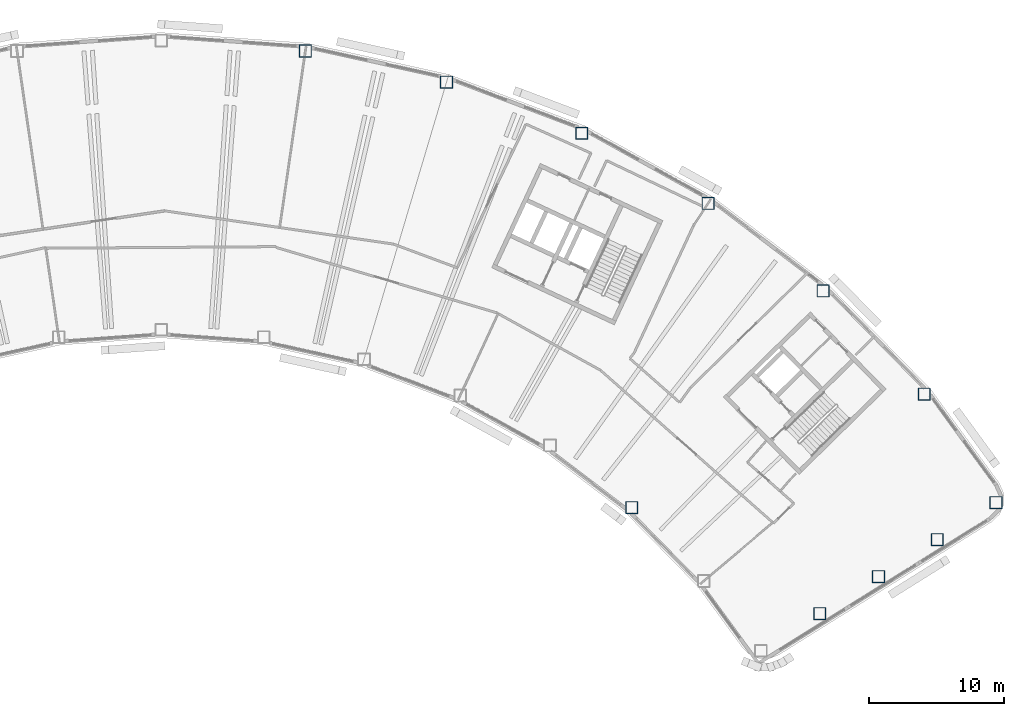
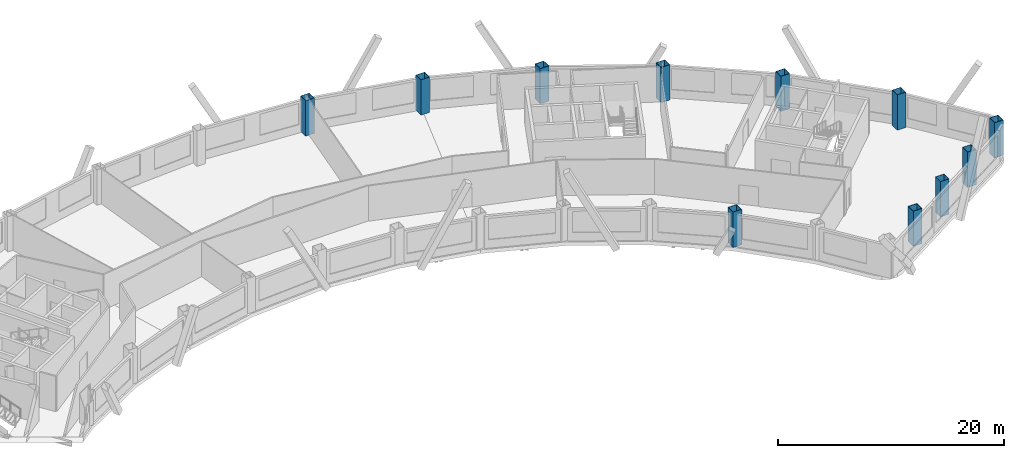
# One storey, part 2 of 12: 11 columns.
"""IFC4 building model written with IfcOpenShell, lengths in metres."""

from ifc_helpers import new_model, si_unit, direction, frame, origin, origin_2d, place, context, subcontext, project, spatial, hollow_rectangle, extrude, material, material_profile, profile_set, type_object, element, save


model = new_model("IFC4")

# Units and contexts
model_context = context("Model", 3, precision=1e-05, world=origin(), true_north=direction((0.0, 1.0)))
body_context = subcontext(model_context, "Body", "Model", "MODEL_VIEW")
ifc_project = project(units=[si_unit("LENGTHUNIT", "METRE"), si_unit("AREAUNIT", "SQUARE_METRE"), si_unit("VOLUMEUNIT", "CUBIC_METRE"), si_unit("PLANEANGLEUNIT", "RADIAN"), si_unit("MASSUNIT", "GRAM", prefix="KILO")], contexts=[model_context])

# Site, building, storey
site_placement = place(None, origin())
site = spatial("IfcSite", under=ifc_project, at=site_placement, CompositionType="ELEMENT")
building_placement = place(site_placement, origin())
building = spatial("IfcBuilding", under=site, at=building_placement, Name="Tuul Gate Civic Tower", CompositionType="ELEMENT")
storey_placement = place(building_placement, frame((0.0, 0.0, 172.10009765625)))
storey = spatial("IfcBuildingStorey", under=building, at=storey_placement, Name="Level 39", CompositionType="ELEMENT", Elevation=172.10009765625)

# Columns
ifc_material = material(Name="Steel S355", Category="steel")
ifc_material_profile = material_profile(ifc_material, hollow_rectangle(XDim=0.89990234375, YDim=0.89990234375, WallThickness=0.031982421875, at=origin_2d()), Name="BOX900x900x32")
ifc_profile_set = profile_set([ifc_material_profile], Name="Steel S355")
column_type = type_object("IfcColumnType", Name="STR-COLUMN-BOX900x900x32", PredefinedType="COLUMN", material=ifc_profile_set)
for number, where, z_axis, x_axis, name in (
    (1, (62.660888671875, -20.512939453125, 0.0), (0.0, 0.0, 1.0), (1.0, 0.0, 0.0), "Column"),
    (2, (57.362060546875, -12.5, 0.0), (0.0, 0.0, 1.0), (1.0, 0.0, 0.0), "Column"),
    (3, (49.886962890625, -4.875, 0.0), (0.0, 0.0, 1.0), (1.0, 0.0, 0.0), "Column"),
    (4, (41.39208984375, 1.593017578125, 0.0), (0.0, 0.0, 1.0), (1.0, 0.0, 0.0), "Column"),
    (5, (32.053955078125, 6.77001953125, 0.0), (0.0, 0.0, 1.0), (1.0, 0.0, 0.0), "Column"),
    (6, (22.06689453125, 10.5458984375, 0.0), (0.0, 0.0, 1.0), (1.0, 0.0, 0.0), "Column"),
    (7, (11.638916015625, 12.843994140625, 0.0), (0.0, 0.0, 1.0), (1.0, 0.0, 0.0), "Column"),
    (8, (35.757080078125, -20.886962890625, 0.0), (0.0, 0.0, 1.0), (1.0, 0.0, 0.0), "Column"),
    (9, (49.633056640625, -28.716064453125, 0.0), (0.0, 0.0, 1.0), (1.0, 0.0, 0.0), "Column"),
    (10, (53.97607421875, -25.98193359375, 0.0), (0.0, 0.0, 1.0), (1.0, 0.0, 0.0), "Column"),
    (11, (58.318115234375, -23.2470703125, 0.0), (0.0, 0.0, 1.0), (1.0, 0.0, 0.0), "Column"),
):
    element("IfcColumn", number, at=place(storey_placement, frame(where, z_axis=z_axis, x_axis=x_axis)), inside=storey, type_object=column_type, Name=name, PredefinedType="COLUMN", context=body_context, shape_type="SweptSolid", body=[
        extrude(hollow_rectangle(XDim=0.89990234375, YDim=0.89990234375, WallThickness=0.031982421875, at=origin_2d()), origin(), (0.0, 0.0, 1.0), 3.7998046875),
    ])

save(model, "model.ifc")
